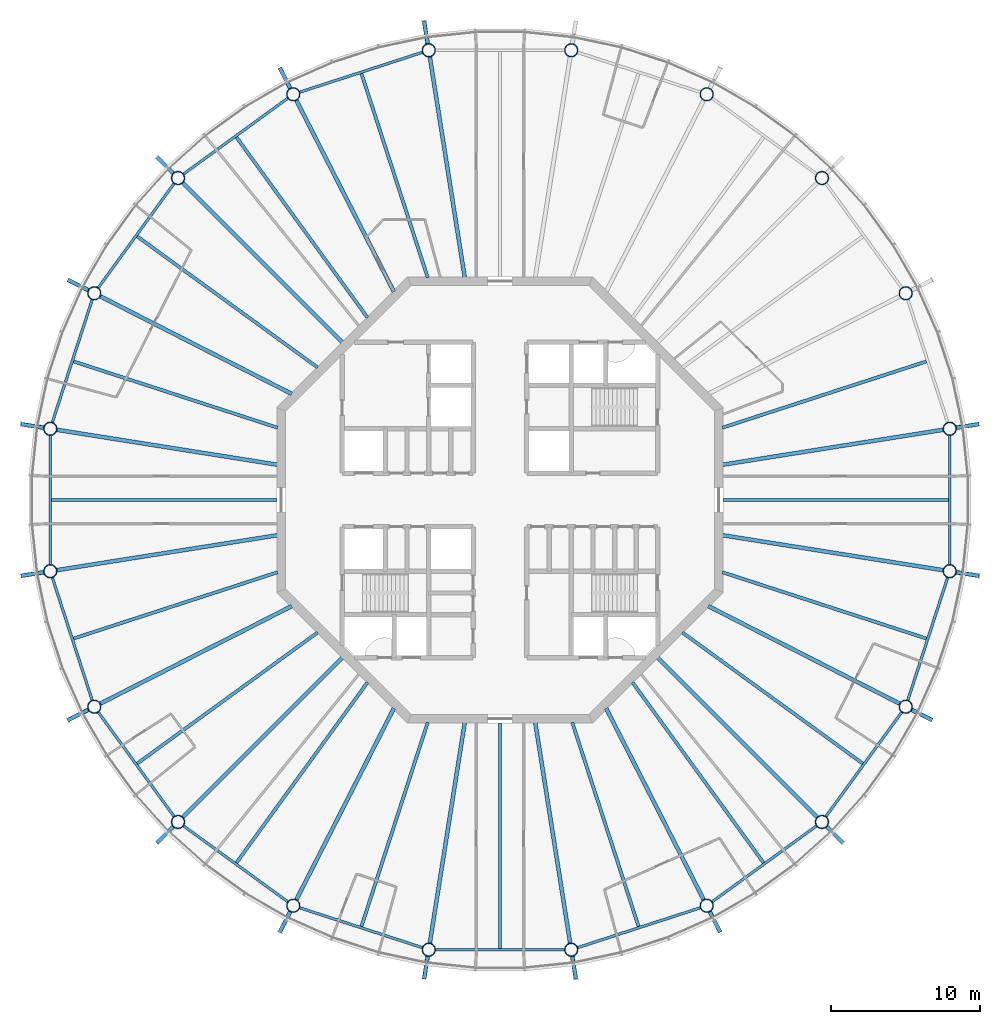
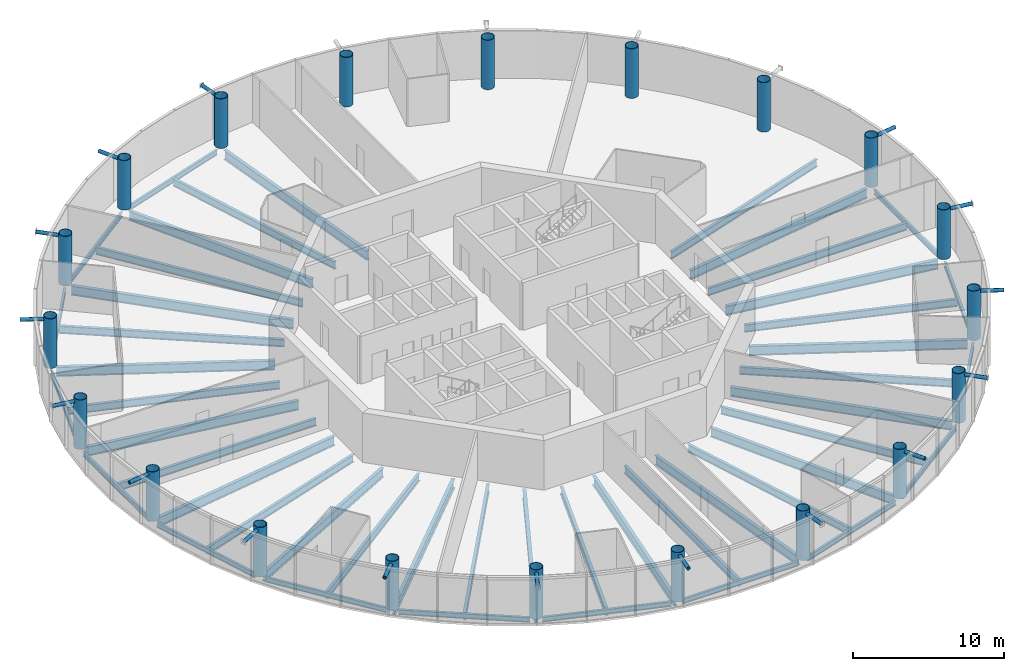
# One storey, part 1 of 18: 47 beams, 20 columns, 16 members.
"""IFC4 building model written with IfcOpenShell, lengths in metres."""

from ifc_helpers import new_model, si_unit, direction, frame, origin, origin_2d, place, context, subcontext, project, spatial, circle, hollow_circle, i_section, extrude, material, material_profile, profile_set, type_object, element, save


model = new_model("IFC4")

# Units and contexts
model_context = context("Model", 3, precision=1e-05, world=origin(), true_north=direction((0.0, 1.0)))
body_context = subcontext(model_context, "Body", "Model", "MODEL_VIEW")
ifc_project = project(units=[si_unit("LENGTHUNIT", "METRE"), si_unit("AREAUNIT", "SQUARE_METRE"), si_unit("VOLUMEUNIT", "CUBIC_METRE"), si_unit("PLANEANGLEUNIT", "RADIAN"), si_unit("MASSUNIT", "GRAM", prefix="KILO")], contexts=[model_context])

# Site, building, storey
site_placement = place(None, origin())
site = spatial("IfcSite", under=ifc_project, at=site_placement, CompositionType="ELEMENT")
building_placement = place(site_placement, origin())
building = spatial("IfcBuilding", under=site, at=building_placement, Name="Entoto Ring Tower", CompositionType="ELEMENT")
storey_placement = place(building_placement, frame((0.0, 0.0, 388.0)))
storey = spatial("IfcBuildingStorey", under=building, at=storey_placement, Name="L90", CompositionType="ELEMENT", Elevation=388.0)

# Columns
ifc_material_1 = material(Name="Steel S355", Category="steel")
ifc_material_profile_1 = material_profile(ifc_material_1, hollow_circle(Radius=0.449951171875, WallThickness=0.0400390625, at=origin_2d()), Name="CHS 900 x 40")
ifc_material_2 = material(Name="Concrete C60/75", Category="concrete")
ifc_material_profile_2 = material_profile(ifc_material_2, circle(Radius=0.409912109375, at=origin_2d()), Name="Concrete C60/75 infill")
ifc_profile_set_1 = profile_set([ifc_material_profile_1, ifc_material_profile_2], Name="Steel S355")
column_type = type_object("IfcColumnType", Name="Ring column 900 x 40 concrete-filled tube", PredefinedType="COLUMN", material=ifc_profile_set_1)
for number, where, z_axis, x_axis, name in (
    (1, (120.22314453125, 84.786865234375, 0.0), (0.0, 0.0, 1.0), (1.0, 0.0, 0.0), "RC6 R01"),
    (2, (117.264892578125, 93.89208984375, 0.0), (0.0, 0.0, 1.0), (1.0, 0.0, 0.0), "RC6 R02"),
    (3, (111.637451171875, 101.637451171875, 0.0), (0.0, 0.0, 1.0), (1.0, 0.0, 0.0), "RC6 R03"),
    (4, (103.89208984375, 107.264892578125, 0.0), (0.0, 0.0, 1.0), (1.0, 0.0, 0.0), "RC6 R04"),
    (5, (94.786865234375, 110.22314453125, 0.0), (0.0, 0.0, 1.0), (1.0, 0.0, 0.0), "RC6 R05"),
    (6, (85.213134765625, 110.22314453125, 0.0), (0.0, 0.0, 1.0), (1.0, 0.0, 0.0), "RC6 R06"),
    (7, (76.10791015625, 107.264892578125, 0.0), (0.0, 0.0, 1.0), (1.0, 0.0, 0.0), "RC6 R07"),
    (8, (68.362548828125, 101.637451171875, 0.0), (0.0, 0.0, 1.0), (1.0, 0.0, 0.0), "RC6 R08"),
    (9, (62.735107421875, 93.89208984375, 0.0), (0.0, 0.0, 1.0), (1.0, 0.0, 0.0), "RC6 R09"),
    (10, (59.77685546875, 84.786865234375, 0.0), (0.0, 0.0, 1.0), (1.0, 0.0, 0.0), "RC6 R10"),
    (11, (59.77685546875, 75.213134765625, 0.0), (0.0, 0.0, 1.0), (1.0, 0.0, 0.0), "RC6 R11"),
    (12, (62.735107421875, 66.10791015625, 0.0), (0.0, 0.0, 1.0), (1.0, 0.0, 0.0), "RC6 R12"),
    (13, (68.362548828125, 58.362548828125, 0.0), (0.0, 0.0, 1.0), (1.0, 0.0, 0.0), "RC6 R13"),
    (14, (76.10791015625, 52.735107421875, 0.0), (0.0, 0.0, 1.0), (1.0, 0.0, 0.0), "RC6 R14"),
    (15, (85.213134765625, 49.77685546875, 0.0), (0.0, 0.0, 1.0), (1.0, 0.0, 0.0), "RC6 R15"),
    (16, (94.786865234375, 49.77685546875, 0.0), (0.0, 0.0, 1.0), (1.0, 0.0, 0.0), "RC6 R16"),
    (17, (103.89208984375, 52.735107421875, 0.0), (0.0, 0.0, 1.0), (1.0, 0.0, 0.0), "RC6 R17"),
    (18, (111.637451171875, 58.362548828125, 0.0), (0.0, 0.0, 1.0), (1.0, 0.0, 0.0), "RC6 R18"),
    (19, (117.264892578125, 66.10791015625, 0.0), (0.0, 0.0, 1.0), (1.0, 0.0, 0.0), "RC6 R19"),
    (20, (120.22314453125, 75.213134765625, 0.0), (0.0, 0.0, 1.0), (1.0, 0.0, 0.0), "RC6 R20"),
):
    element("IfcColumn", number, at=place(storey_placement, frame(where, z_axis=z_axis, x_axis=x_axis)), inside=storey, type_object=column_type, Name=name, PredefinedType="COLUMN", context=body_context, shape_type="SweptSolid", body=[
        extrude(hollow_circle(Radius=0.449951171875, WallThickness=0.0400390625, at=origin_2d()), origin(), (0.0, 0.0, 1.0), 4.0),
    ])

# Members
ifc_material_3 = material(Name="Steel S355", Category="steel")
ifc_material_profile_3 = material_profile(ifc_material_3, hollow_circle(Radius=0.136474609375, WallThickness=0.012451171875, at=origin_2d()), Name="CHS 273 x 12.5")
ifc_material_4 = material(Name="Concrete C60/75", Category="concrete")
ifc_material_profile_4 = material_profile(ifc_material_4, circle(Radius=0.1240234375, at=origin_2d()), Name="Concrete C60/75 infill")
ifc_profile_set_2 = profile_set([ifc_material_profile_3, ifc_material_profile_4], Name="Steel S355")
member_type = type_object("IfcMemberType", Name="Diagrid node strut 273 x 12.5", PredefinedType="STRUT", material=ifc_profile_set_2)
for number, where, z_axis, x_axis, name in (
    (21, (120.626953125, 84.850830078125, 3.71337890625), (0.987680731143, 0.156482501672, 0.0), (-0.156482501672, 0.987680731143, 0.0), "DS2 strut ring 28 01"),
    (22, (85.149169921875, 110.626953125, 3.71337890625), (-0.156482501672, 0.987680731143, 0.0), (-0.987680731143, -0.156482501672, 0.0), "DS2 strut ring 28 06"),
    (23, (75.92236328125, 107.62890625, 3.71337890625), (-0.453951061104, 0.891026618078, 0.0), (-0.891026618078, -0.453951061104, 0.0), "DS2 strut ring 28 07"),
    (24, (68.073486328125, 101.926513671875, 3.71337890625), (-0.707106781187, 0.707106781187, 0.0), (-0.707106781187, -0.707106781187, 0.0), "DS2 strut ring 28 08"),
    (25, (62.37109375, 94.07763671875, 3.71337890625), (-0.891026618078, 0.453951061104, 0.0), (-0.453951061104, -0.891026618078, 0.0), "DS2 strut ring 28 09"),
    (26, (59.373046875, 84.850830078125, 3.71337890625), (-0.987680731143, 0.156482501672, 0.0), (-0.156482501672, -0.987680731143, 0.0), "DS2 strut ring 28 10"),
    (27, (59.373046875, 75.149169921875, 3.71337890625), (-0.987680731143, -0.156482501672, 0.0), (0.156482501672, -0.987680731143, 0.0), "DS2 strut ring 28 11"),
    (28, (62.37109375, 65.92236328125, 3.71337890625), (-0.891026618078, -0.453951061104, 0.0), (0.453951061104, -0.891026618078, 0.0), "DS2 strut ring 28 12"),
    (29, (68.073486328125, 58.073486328125, 3.71337890625), (-0.707106781187, -0.707106781187, 0.0), (0.707106781187, -0.707106781187, 0.0), "DS2 strut ring 28 13"),
    (30, (75.92236328125, 52.37109375, 3.71337890625), (-0.453951061104, -0.891026618078, 0.0), (0.891026618078, -0.453951061104, 0.0), "DS2 strut ring 28 14"),
    (31, (85.149169921875, 49.373046875, 3.71337890625), (-0.156482501672, -0.987680731143, 0.0), (0.987680731143, -0.156482501672, 0.0), "DS2 strut ring 28 15"),
    (32, (94.850830078125, 49.373046875, 3.71337890625), (0.156482501672, -0.987680731143, 0.0), (0.987680731143, 0.156482501672, 0.0), "DS2 strut ring 28 16"),
    (33, (104.07763671875, 52.37109375, 3.71337890625), (0.453951061104, -0.891026618078, 0.0), (0.891026618078, 0.453951061104, 0.0), "DS2 strut ring 28 17"),
    (34, (111.926513671875, 58.073486328125, 3.71337890625), (0.707106781187, -0.707106781187, 0.0), (0.707106781187, 0.707106781187, 0.0), "DS2 strut ring 28 18"),
    (35, (117.62890625, 65.92236328125, 3.71337890625), (0.891026618078, -0.453951061104, 0.0), (0.453951061104, 0.891026618078, 0.0), "DS2 strut ring 28 19"),
    (36, (120.626953125, 75.149169921875, 3.71337890625), (0.987680731143, -0.156482501672, 0.0), (0.156482501672, 0.987680731143, 0.0), "DS2 strut ring 28 20"),
):
    element("IfcMember", number, at=place(storey_placement, frame(where, z_axis=z_axis, x_axis=x_axis)), inside=storey, type_object=member_type, Name=name, PredefinedType="STRUT", context=body_context, shape_type="SweptSolid", body=[
        extrude(hollow_circle(Radius=0.136474609375, WallThickness=0.012451171875, at=origin_2d()), origin(), (0.0, 0.0, 1.0), 1.59130859375),
    ])

# Beams
ifc_material_5 = material(Name="Steel S355", Category="steel")
ifc_material_profile_5 = material_profile(ifc_material_5, i_section(OverallWidth=0.179931640625, OverallDepth=0.39990234375, WebThickness=0.008544921875, FlangeThickness=0.013427734375, FilletRadius=0.02099609375, at=origin_2d()), Name="IPE 400")
ifc_profile_set_3 = profile_set([ifc_material_profile_5], Name="Steel S355")
beam_type_1 = type_object("IfcBeamType", Name="Edge beam IPE 400", PredefinedType="SPANDREL", material=ifc_profile_set_3)
beam_1_placement = place(storey_placement, frame((84.812744140625, 110.09326171875, -0.35009765625), z_axis=(-0.951052147972, -0.309030438368, 0.0), x_axis=(0.309030438368, -0.951052147972, 0.0)))
element("IfcBeam", 37, at=beam_1_placement, inside=storey, type_object=beam_type_1, Name="Edge beam L90 06", PredefinedType="SPANDREL", context=body_context, shape_type="SweptSolid", body=[
    extrude(i_section(OverallWidth=0.179931640625, OverallDepth=0.39990234375, WebThickness=0.008544921875, FlangeThickness=0.013427734375, FilletRadius=0.02099609375, at=origin_2d()), origin(), (0.0, 0.0, 1.0), 8.732177734375),
])
for number, where, z_axis, x_axis, name in (
    (38, (75.767333984375, 107.017333984375, -0.35009765625), (-0.80901045354, -0.587794254874, 0.0), (0.587794254874, -0.80901045354, 0.0), "Edge beam L90 07"),
    (39, (68.115234375, 101.296875, -0.35009765625), (-0.587794254874, -0.80901045354, 0.0), (0.80901045354, -0.587794254874, 0.0), "Edge beam L90 08"),
):
    element("IfcBeam", number, at=place(storey_placement, frame(where, z_axis=z_axis, x_axis=x_axis)), inside=storey, type_object=beam_type_1, Name=name, PredefinedType="SPANDREL", context=body_context, shape_type="SweptSolid", body=[
        extrude(i_section(OverallWidth=0.179931640625, OverallDepth=0.39990234375, WebThickness=0.008544921875, FlangeThickness=0.013427734375, FilletRadius=0.02099609375, at=origin_2d()), origin(), (0.0, 0.0, 1.0), 8.73193359375),
    ])
beam_2_placement = place(storey_placement, frame((62.605224609375, 93.491943359375, -0.35009765625), z_axis=(-0.309030438368, -0.951052147972, 0.0), x_axis=(0.951052147972, -0.309030438368, 0.0)))
element("IfcBeam", 40, at=beam_2_placement, inside=storey, type_object=beam_type_1, Name="Edge beam L90 09", PredefinedType="SPANDREL", context=body_context, shape_type="SweptSolid", body=[
    extrude(i_section(OverallWidth=0.179931640625, OverallDepth=0.39990234375, WebThickness=0.008544921875, FlangeThickness=0.013427734375, FilletRadius=0.02099609375, at=origin_2d()), origin(), (0.0, 0.0, 1.0), 8.732177734375),
])
beam_3_placement = place(storey_placement, frame((59.77685546875, 84.365966796875, -0.35009765625), z_axis=(0.0, -1.0, 0.0), x_axis=(1.0, 0.0, 0.0)))
element("IfcBeam", 41, at=beam_3_placement, inside=storey, type_object=beam_type_1, Name="Edge beam L90 10", PredefinedType="SPANDREL", context=body_context, shape_type="SweptSolid", body=[
    extrude(i_section(OverallWidth=0.179931640625, OverallDepth=0.39990234375, WebThickness=0.008544921875, FlangeThickness=0.013427734375, FilletRadius=0.02099609375, at=origin_2d()), origin(), (0.0, 0.0, 1.0), 8.73193359375),
])
beam_4_placement = place(storey_placement, frame((59.90673828125, 74.812744140625, -0.35009765625), z_axis=(0.309030438368, -0.951052147972, 0.0), x_axis=(0.951052147972, 0.309030438368, 0.0)))
element("IfcBeam", 42, at=beam_4_placement, inside=storey, type_object=beam_type_1, Name="Edge beam L90 11", PredefinedType="SPANDREL", context=body_context, shape_type="SweptSolid", body=[
    extrude(i_section(OverallWidth=0.179931640625, OverallDepth=0.39990234375, WebThickness=0.008544921875, FlangeThickness=0.013427734375, FilletRadius=0.02099609375, at=origin_2d()), origin(), (0.0, 0.0, 1.0), 8.732177734375),
])
for number, where, z_axis, x_axis, name in (
    (43, (62.982666015625, 65.767333984375, -0.35009765625), (0.587794254874, -0.80901045354, 0.0), (0.80901045354, 0.587794254874, 0.0), "Edge beam L90 12"),
    (44, (68.703125, 58.115234375, -0.35009765625), (0.80901045354, -0.587794254874, 0.0), (0.587794254874, 0.80901045354, 0.0), "Edge beam L90 13"),
):
    element("IfcBeam", number, at=place(storey_placement, frame(where, z_axis=z_axis, x_axis=x_axis)), inside=storey, type_object=beam_type_1, Name=name, PredefinedType="SPANDREL", context=body_context, shape_type="SweptSolid", body=[
        extrude(i_section(OverallWidth=0.179931640625, OverallDepth=0.39990234375, WebThickness=0.008544921875, FlangeThickness=0.013427734375, FilletRadius=0.02099609375, at=origin_2d()), origin(), (0.0, 0.0, 1.0), 8.73193359375),
    ])
beam_5_placement = place(storey_placement, frame((76.508056640625, 52.605224609375, -0.35009765625), z_axis=(0.951052147972, -0.309030438368, 0.0), x_axis=(0.309030438368, 0.951052147972, 0.0)))
element("IfcBeam", 45, at=beam_5_placement, inside=storey, type_object=beam_type_1, Name="Edge beam L90 14", PredefinedType="SPANDREL", context=body_context, shape_type="SweptSolid", body=[
    extrude(i_section(OverallWidth=0.179931640625, OverallDepth=0.39990234375, WebThickness=0.008544921875, FlangeThickness=0.013427734375, FilletRadius=0.02099609375, at=origin_2d()), origin(), (0.0, 0.0, 1.0), 8.732177734375),
])
beam_6_placement = place(storey_placement, frame((85.634033203125, 49.77685546875, -0.35009765625), z_axis=(1.0, 0.0, 0.0), x_axis=(0.0, 1.0, 0.0)))
element("IfcBeam", 46, at=beam_6_placement, inside=storey, type_object=beam_type_1, Name="Edge beam L90 15", PredefinedType="SPANDREL", context=body_context, shape_type="SweptSolid", body=[
    extrude(i_section(OverallWidth=0.179931640625, OverallDepth=0.39990234375, WebThickness=0.008544921875, FlangeThickness=0.013427734375, FilletRadius=0.02099609375, at=origin_2d()), origin(), (0.0, 0.0, 1.0), 8.73193359375),
])
beam_7_placement = place(storey_placement, frame((95.187255859375, 49.90673828125, -0.35009765625), z_axis=(0.951052147972, 0.309030438368, 0.0), x_axis=(-0.309030438368, 0.951052147972, 0.0)))
element("IfcBeam", 47, at=beam_7_placement, inside=storey, type_object=beam_type_1, Name="Edge beam L90 16", PredefinedType="SPANDREL", context=body_context, shape_type="SweptSolid", body=[
    extrude(i_section(OverallWidth=0.179931640625, OverallDepth=0.39990234375, WebThickness=0.008544921875, FlangeThickness=0.013427734375, FilletRadius=0.02099609375, at=origin_2d()), origin(), (0.0, 0.0, 1.0), 8.732177734375),
])
for number, where, z_axis, x_axis, name in (
    (48, (104.232666015625, 52.982666015625, -0.35009765625), (0.80901045354, 0.587794254874, 0.0), (-0.587794254874, 0.80901045354, 0.0), "Edge beam L90 17"),
    (49, (111.884765625, 58.703125, -0.35009765625), (0.587794254874, 0.80901045354, 0.0), (-0.80901045354, 0.587794254874, 0.0), "Edge beam L90 18"),
):
    element("IfcBeam", number, at=place(storey_placement, frame(where, z_axis=z_axis, x_axis=x_axis)), inside=storey, type_object=beam_type_1, Name=name, PredefinedType="SPANDREL", context=body_context, shape_type="SweptSolid", body=[
        extrude(i_section(OverallWidth=0.179931640625, OverallDepth=0.39990234375, WebThickness=0.008544921875, FlangeThickness=0.013427734375, FilletRadius=0.02099609375, at=origin_2d()), origin(), (0.0, 0.0, 1.0), 8.73193359375),
    ])
beam_8_placement = place(storey_placement, frame((117.394775390625, 66.508056640625, -0.35009765625), z_axis=(0.309030438368, 0.951052147972, 0.0), x_axis=(-0.951052147972, 0.309030438368, 0.0)))
element("IfcBeam", 50, at=beam_8_placement, inside=storey, type_object=beam_type_1, Name="Edge beam L90 19", PredefinedType="SPANDREL", context=body_context, shape_type="SweptSolid", body=[
    extrude(i_section(OverallWidth=0.179931640625, OverallDepth=0.39990234375, WebThickness=0.008544921875, FlangeThickness=0.013427734375, FilletRadius=0.02099609375, at=origin_2d()), origin(), (0.0, 0.0, 1.0), 8.732177734375),
])
beam_9_placement = place(storey_placement, frame((120.22314453125, 75.634033203125, -0.35009765625), z_axis=(0.0, 1.0, 0.0), x_axis=(-1.0, 0.0, 0.0)))
element("IfcBeam", 51, at=beam_9_placement, inside=storey, type_object=beam_type_1, Name="Edge beam L90 20", PredefinedType="SPANDREL", context=body_context, shape_type="SweptSolid", body=[
    extrude(i_section(OverallWidth=0.179931640625, OverallDepth=0.39990234375, WebThickness=0.008544921875, FlangeThickness=0.013427734375, FilletRadius=0.02099609375, at=origin_2d()), origin(), (0.0, 0.0, 1.0), 8.73193359375),
])
ifc_material_6 = material(Name="Steel S355", Category="steel")
ifc_material_profile_6 = material_profile(ifc_material_6, i_section(OverallWidth=0.262939453125, OverallDepth=0.7529296875, WebThickness=0.011474609375, FlangeThickness=0.01708984375, FilletRadius=0.01708984375, at=origin_2d()), Name="IPE 750 x 137")
ifc_profile_set_4 = profile_set([ifc_material_profile_6], Name="Steel S355")
beam_type_2 = type_object("IfcBeamType", Name="Primary floor beam IPE 750 x 137", PredefinedType="BEAM", material=ifc_profile_set_4)
for number, where, z_axis, x_axis, name in (
    (52, (104.959716796875, 82.369384765625, -0.526611328125), (0.987688638122, 0.156432586517, 0.0), (-0.156432586517, 0.987688638122, 0.0), "Primary L90 R01"),
    (53, (87.630615234375, 94.959716796875, -0.526611328125), (-0.156432586517, 0.987688638122, 0.0), (-0.987688638122, -0.156432586517, 0.0), "Primary L90 R06"),
):
    element("IfcBeam", number, at=place(storey_placement, frame(where, z_axis=z_axis, x_axis=x_axis)), inside=storey, type_object=beam_type_2, Name=name, PredefinedType="BEAM", context=body_context, shape_type="SweptSolid", body=[
        extrude(i_section(OverallWidth=0.262939453125, OverallDepth=0.7529296875, WebThickness=0.011474609375, FlangeThickness=0.01708984375, FilletRadius=0.01708984375, at=origin_2d()), origin(), (0.0, 0.0, 1.0), 15.04345703125),
    ])
beam_10_placement = place(storey_placement, frame((82.8681640625, 93.9970703125, -0.526611328125), z_axis=(-0.453991952968, 0.89100578373, 0.0), x_axis=(-0.89100578373, -0.453991952968, 0.0)))
element("IfcBeam", 54, at=beam_10_placement, inside=storey, type_object=beam_type_2, Name="Primary L90 R07", PredefinedType="BEAM", context=body_context, shape_type="SweptSolid", body=[
    extrude(i_section(OverallWidth=0.262939453125, OverallDepth=0.7529296875, WebThickness=0.011474609375, FlangeThickness=0.01708984375, FilletRadius=0.01708984375, at=origin_2d()), origin(), (0.0, 0.0, 1.0), 14.48046875),
])
beam_11_placement = place(storey_placement, frame((79.407470703125, 90.592529296875, -0.526611328125), z_axis=(-0.707106781187, 0.707106781187, 0.0), x_axis=(-0.707106781187, -0.707106781187, 0.0)))
element("IfcBeam", 55, at=beam_11_placement, inside=storey, type_object=beam_type_2, Name="Primary L90 R08", PredefinedType="BEAM", context=body_context, shape_type="SweptSolid", body=[
    extrude(i_section(OverallWidth=0.262939453125, OverallDepth=0.7529296875, WebThickness=0.011474609375, FlangeThickness=0.01708984375, FilletRadius=0.01708984375, at=origin_2d()), origin(), (0.0, 0.0, 1.0), 15.209716796875),
])
beam_12_placement = place(storey_placement, frame((76.0029296875, 87.1318359375, -0.526611328125), z_axis=(-0.89100578373, 0.453991952968, 0.0), x_axis=(-0.453991952968, -0.89100578373, 0.0)))
element("IfcBeam", 56, at=beam_12_placement, inside=storey, type_object=beam_type_2, Name="Primary L90 R09", PredefinedType="BEAM", context=body_context, shape_type="SweptSolid", body=[
    extrude(i_section(OverallWidth=0.262939453125, OverallDepth=0.7529296875, WebThickness=0.011474609375, FlangeThickness=0.01708984375, FilletRadius=0.01708984375, at=origin_2d()), origin(), (0.0, 0.0, 1.0), 14.48046875),
])
for number, where, z_axis, x_axis, name in (
    (57, (75.040283203125, 82.369384765625, -0.526611328125), (-0.987688638122, 0.156432586517, 0.0), (-0.156432586517, -0.987688638122, 0.0), "Primary L90 R10"),
    (58, (75.040283203125, 77.630615234375, -0.526611328125), (-0.987688638122, -0.156432586517, 0.0), (0.156432586517, -0.987688638122, 0.0), "Primary L90 R11"),
):
    element("IfcBeam", number, at=place(storey_placement, frame(where, z_axis=z_axis, x_axis=x_axis)), inside=storey, type_object=beam_type_2, Name=name, PredefinedType="BEAM", context=body_context, shape_type="SweptSolid", body=[
        extrude(i_section(OverallWidth=0.262939453125, OverallDepth=0.7529296875, WebThickness=0.011474609375, FlangeThickness=0.01708984375, FilletRadius=0.01708984375, at=origin_2d()), origin(), (0.0, 0.0, 1.0), 15.04345703125),
    ])
beam_13_placement = place(storey_placement, frame((76.0029296875, 72.8681640625, -0.526611328125), z_axis=(-0.89100578373, -0.453991952968, 0.0), x_axis=(0.453991952968, -0.89100578373, 0.0)))
element("IfcBeam", 59, at=beam_13_placement, inside=storey, type_object=beam_type_2, Name="Primary L90 R12", PredefinedType="BEAM", context=body_context, shape_type="SweptSolid", body=[
    extrude(i_section(OverallWidth=0.262939453125, OverallDepth=0.7529296875, WebThickness=0.011474609375, FlangeThickness=0.01708984375, FilletRadius=0.01708984375, at=origin_2d()), origin(), (0.0, 0.0, 1.0), 14.48046875),
])
beam_14_placement = place(storey_placement, frame((79.407470703125, 69.407470703125, -0.526611328125), z_axis=(-0.707106781187, -0.707106781187, 0.0), x_axis=(0.707106781187, -0.707106781187, 0.0)))
element("IfcBeam", 60, at=beam_14_placement, inside=storey, type_object=beam_type_2, Name="Primary L90 R13", PredefinedType="BEAM", context=body_context, shape_type="SweptSolid", body=[
    extrude(i_section(OverallWidth=0.262939453125, OverallDepth=0.7529296875, WebThickness=0.011474609375, FlangeThickness=0.01708984375, FilletRadius=0.01708984375, at=origin_2d()), origin(), (0.0, 0.0, 1.0), 15.209716796875),
])
beam_15_placement = place(storey_placement, frame((82.8681640625, 66.0029296875, -0.526611328125), z_axis=(-0.453991952968, -0.89100578373, 0.0), x_axis=(0.89100578373, -0.453991952968, 0.0)))
element("IfcBeam", 61, at=beam_15_placement, inside=storey, type_object=beam_type_2, Name="Primary L90 R14", PredefinedType="BEAM", context=body_context, shape_type="SweptSolid", body=[
    extrude(i_section(OverallWidth=0.262939453125, OverallDepth=0.7529296875, WebThickness=0.011474609375, FlangeThickness=0.01708984375, FilletRadius=0.01708984375, at=origin_2d()), origin(), (0.0, 0.0, 1.0), 14.48046875),
])
for number, where, z_axis, x_axis, name in (
    (62, (87.630615234375, 65.040283203125, -0.526611328125), (-0.156432586517, -0.987688638122, 0.0), (0.987688638122, -0.156432586517, 0.0), "Primary L90 R15"),
    (63, (92.369384765625, 65.040283203125, -0.526611328125), (0.156432586517, -0.987688638122, 0.0), (0.987688638122, 0.156432586517, 0.0), "Primary L90 R16"),
):
    element("IfcBeam", number, at=place(storey_placement, frame(where, z_axis=z_axis, x_axis=x_axis)), inside=storey, type_object=beam_type_2, Name=name, PredefinedType="BEAM", context=body_context, shape_type="SweptSolid", body=[
        extrude(i_section(OverallWidth=0.262939453125, OverallDepth=0.7529296875, WebThickness=0.011474609375, FlangeThickness=0.01708984375, FilletRadius=0.01708984375, at=origin_2d()), origin(), (0.0, 0.0, 1.0), 15.04345703125),
    ])
beam_16_placement = place(storey_placement, frame((97.1318359375, 66.0029296875, -0.526611328125), z_axis=(0.453991952968, -0.89100578373, 0.0), x_axis=(0.89100578373, 0.453991952968, 0.0)))
element("IfcBeam", 64, at=beam_16_placement, inside=storey, type_object=beam_type_2, Name="Primary L90 R17", PredefinedType="BEAM", context=body_context, shape_type="SweptSolid", body=[
    extrude(i_section(OverallWidth=0.262939453125, OverallDepth=0.7529296875, WebThickness=0.011474609375, FlangeThickness=0.01708984375, FilletRadius=0.01708984375, at=origin_2d()), origin(), (0.0, 0.0, 1.0), 14.48046875),
])
beam_17_placement = place(storey_placement, frame((100.592529296875, 69.407470703125, -0.526611328125), z_axis=(0.707106781187, -0.707106781187, 0.0), x_axis=(0.707106781187, 0.707106781187, 0.0)))
element("IfcBeam", 65, at=beam_17_placement, inside=storey, type_object=beam_type_2, Name="Primary L90 R18", PredefinedType="BEAM", context=body_context, shape_type="SweptSolid", body=[
    extrude(i_section(OverallWidth=0.262939453125, OverallDepth=0.7529296875, WebThickness=0.011474609375, FlangeThickness=0.01708984375, FilletRadius=0.01708984375, at=origin_2d()), origin(), (0.0, 0.0, 1.0), 15.209716796875),
])
beam_18_placement = place(storey_placement, frame((103.9970703125, 72.8681640625, -0.526611328125), z_axis=(0.89100578373, -0.453991952968, 0.0), x_axis=(0.453991952968, 0.89100578373, 0.0)))
element("IfcBeam", 66, at=beam_18_placement, inside=storey, type_object=beam_type_2, Name="Primary L90 R19", PredefinedType="BEAM", context=body_context, shape_type="SweptSolid", body=[
    extrude(i_section(OverallWidth=0.262939453125, OverallDepth=0.7529296875, WebThickness=0.011474609375, FlangeThickness=0.01708984375, FilletRadius=0.01708984375, at=origin_2d()), origin(), (0.0, 0.0, 1.0), 14.48046875),
])
beam_19_placement = place(storey_placement, frame((104.959716796875, 77.630615234375, -0.526611328125), z_axis=(0.987688638122, -0.156432586517, 0.0), x_axis=(0.156432586517, 0.987688638122, 0.0)))
element("IfcBeam", 67, at=beam_19_placement, inside=storey, type_object=beam_type_2, Name="Primary L90 R20", PredefinedType="BEAM", context=body_context, shape_type="SweptSolid", body=[
    extrude(i_section(OverallWidth=0.262939453125, OverallDepth=0.7529296875, WebThickness=0.011474609375, FlangeThickness=0.01708984375, FilletRadius=0.01708984375, at=origin_2d()), origin(), (0.0, 0.0, 1.0), 15.04345703125),
])
ifc_material_7 = material(Name="Steel S355", Category="steel")
ifc_material_profile_7 = material_profile(ifc_material_7, i_section(OverallWidth=0.219970703125, OverallDepth=0.60009765625, WebThickness=0.011962890625, FlangeThickness=0.01904296875, FilletRadius=0.02392578125, at=origin_2d()), Name="IPE 600")
ifc_profile_set_5 = profile_set([ifc_material_profile_7], Name="Steel S355")
beam_type_3 = type_object("IfcBeamType", Name="Secondary floor beam IPE 600", PredefinedType="JOIST", material=ifc_profile_set_5)
for number, where, z_axis, x_axis, name in (
    (68, (104.947021484375, 84.856689453125, -0.449951171875), (0.951057212949, 0.309014850288, 0.0), (-0.309014850288, 0.951057212949, 0.0), "Secondary beam L90 01"),
    (69, (85.143310546875, 94.947021484375, -0.449951171875), (-0.309014850288, 0.951057212949, 0.0), (-0.951057212949, -0.309014850288, 0.0), "Secondary beam L90 06"),
):
    element("IfcBeam", number, at=place(storey_placement, frame(where, z_axis=z_axis, x_axis=x_axis)), inside=storey, type_object=beam_type_3, Name=name, PredefinedType="JOIST", context=body_context, shape_type="SweptSolid", body=[
        extrude(i_section(OverallWidth=0.219970703125, OverallDepth=0.60009765625, WebThickness=0.011962890625, FlangeThickness=0.01904296875, FilletRadius=0.02392578125, at=origin_2d()), origin(), (0.0, 0.0, 1.0), 14.4169921875),
    ])
for number, where, z_axis, x_axis, name in (
    (70, (81.09521484375, 92.25634765625, -0.449951171875), (-0.587782163866, 0.809019238239, 0.0), (-0.809019238239, -0.587782163866, 0.0), "Secondary beam L90 07"),
    (71, (77.74365234375, 88.90478515625, -0.449951171875), (-0.809019238239, 0.587782163866, 0.0), (-0.587782163866, -0.809019238239, 0.0), "Secondary beam L90 08"),
):
    element("IfcBeam", number, at=place(storey_placement, frame(where, z_axis=z_axis, x_axis=x_axis)), inside=storey, type_object=beam_type_3, Name=name, PredefinedType="JOIST", context=body_context, shape_type="SweptSolid", body=[
        extrude(i_section(OverallWidth=0.219970703125, OverallDepth=0.60009765625, WebThickness=0.011962890625, FlangeThickness=0.01904296875, FilletRadius=0.02392578125, at=origin_2d()), origin(), (0.0, 0.0, 1.0), 14.983642578125),
    ])
beam_20_placement = place(storey_placement, frame((75.052978515625, 84.856689453125, -0.449951171875), z_axis=(-0.951057212949, 0.309014850288, 0.0), x_axis=(-0.309014850288, -0.951057212949, 0.0)))
element("IfcBeam", 72, at=beam_20_placement, inside=storey, type_object=beam_type_3, Name="Secondary beam L90 09", PredefinedType="JOIST", context=body_context, shape_type="SweptSolid", body=[
    extrude(i_section(OverallWidth=0.219970703125, OverallDepth=0.60009765625, WebThickness=0.011962890625, FlangeThickness=0.01904296875, FilletRadius=0.02392578125, at=origin_2d()), origin(), (0.0, 0.0, 1.0), 14.4169921875),
])
beam_21_placement = place(storey_placement, frame((75.02001953125, 80.0, -0.449951171875), z_axis=(-1.0, 0.0, 0.0), x_axis=(0.0, -1.0, 0.0)))
element("IfcBeam", 73, at=beam_21_placement, inside=storey, type_object=beam_type_3, Name="Secondary beam L90 10", PredefinedType="JOIST", context=body_context, shape_type="SweptSolid", body=[
    extrude(i_section(OverallWidth=0.219970703125, OverallDepth=0.60009765625, WebThickness=0.011962890625, FlangeThickness=0.01904296875, FilletRadius=0.02392578125, at=origin_2d()), origin(), (0.0, 0.0, 1.0), 15.1533203125),
])
beam_22_placement = place(storey_placement, frame((75.052978515625, 75.143310546875, -0.449951171875), z_axis=(-0.951057212949, -0.309014850288, 0.0), x_axis=(0.309014850288, -0.951057212949, 0.0)))
element("IfcBeam", 74, at=beam_22_placement, inside=storey, type_object=beam_type_3, Name="Secondary beam L90 11", PredefinedType="JOIST", context=body_context, shape_type="SweptSolid", body=[
    extrude(i_section(OverallWidth=0.219970703125, OverallDepth=0.60009765625, WebThickness=0.011962890625, FlangeThickness=0.01904296875, FilletRadius=0.02392578125, at=origin_2d()), origin(), (0.0, 0.0, 1.0), 14.4169921875),
])
for number, where, z_axis, x_axis, name in (
    (75, (77.74365234375, 71.09521484375, -0.449951171875), (-0.809019238239, -0.587782163866, 0.0), (0.587782163866, -0.809019238239, 0.0), "Secondary beam L90 12"),
    (76, (81.09521484375, 67.74365234375, -0.449951171875), (-0.587782163866, -0.809019238239, 0.0), (0.809019238239, -0.587782163866, 0.0), "Secondary beam L90 13"),
):
    element("IfcBeam", number, at=place(storey_placement, frame(where, z_axis=z_axis, x_axis=x_axis)), inside=storey, type_object=beam_type_3, Name=name, PredefinedType="JOIST", context=body_context, shape_type="SweptSolid", body=[
        extrude(i_section(OverallWidth=0.219970703125, OverallDepth=0.60009765625, WebThickness=0.011962890625, FlangeThickness=0.01904296875, FilletRadius=0.02392578125, at=origin_2d()), origin(), (0.0, 0.0, 1.0), 14.983642578125),
    ])
beam_23_placement = place(storey_placement, frame((85.143310546875, 65.052978515625, -0.449951171875), z_axis=(-0.309014850288, -0.951057212949, 0.0), x_axis=(0.951057212949, -0.309014850288, 0.0)))
element("IfcBeam", 77, at=beam_23_placement, inside=storey, type_object=beam_type_3, Name="Secondary beam L90 14", PredefinedType="JOIST", context=body_context, shape_type="SweptSolid", body=[
    extrude(i_section(OverallWidth=0.219970703125, OverallDepth=0.60009765625, WebThickness=0.011962890625, FlangeThickness=0.01904296875, FilletRadius=0.02392578125, at=origin_2d()), origin(), (0.0, 0.0, 1.0), 14.4169921875),
])
beam_24_placement = place(storey_placement, frame((90.0, 65.02001953125, -0.449951171875), z_axis=(0.0, -1.0, 0.0), x_axis=(1.0, 0.0, 0.0)))
element("IfcBeam", 78, at=beam_24_placement, inside=storey, type_object=beam_type_3, Name="Secondary beam L90 15", PredefinedType="JOIST", context=body_context, shape_type="SweptSolid", body=[
    extrude(i_section(OverallWidth=0.219970703125, OverallDepth=0.60009765625, WebThickness=0.011962890625, FlangeThickness=0.01904296875, FilletRadius=0.02392578125, at=origin_2d()), origin(), (0.0, 0.0, 1.0), 15.1533203125),
])
beam_25_placement = place(storey_placement, frame((94.856689453125, 65.052978515625, -0.449951171875), z_axis=(0.309014850288, -0.951057212949, 0.0), x_axis=(0.951057212949, 0.309014850288, 0.0)))
element("IfcBeam", 79, at=beam_25_placement, inside=storey, type_object=beam_type_3, Name="Secondary beam L90 16", PredefinedType="JOIST", context=body_context, shape_type="SweptSolid", body=[
    extrude(i_section(OverallWidth=0.219970703125, OverallDepth=0.60009765625, WebThickness=0.011962890625, FlangeThickness=0.01904296875, FilletRadius=0.02392578125, at=origin_2d()), origin(), (0.0, 0.0, 1.0), 14.4169921875),
])
for number, where, z_axis, x_axis, name in (
    (80, (98.90478515625, 67.74365234375, -0.449951171875), (0.587782163866, -0.809019238239, 0.0), (0.809019238239, 0.587782163866, 0.0), "Secondary beam L90 17"),
    (81, (102.25634765625, 71.09521484375, -0.449951171875), (0.809019238239, -0.587782163866, 0.0), (0.587782163866, 0.809019238239, 0.0), "Secondary beam L90 18"),
):
    element("IfcBeam", number, at=place(storey_placement, frame(where, z_axis=z_axis, x_axis=x_axis)), inside=storey, type_object=beam_type_3, Name=name, PredefinedType="JOIST", context=body_context, shape_type="SweptSolid", body=[
        extrude(i_section(OverallWidth=0.219970703125, OverallDepth=0.60009765625, WebThickness=0.011962890625, FlangeThickness=0.01904296875, FilletRadius=0.02392578125, at=origin_2d()), origin(), (0.0, 0.0, 1.0), 14.983642578125),
    ])
beam_26_placement = place(storey_placement, frame((104.947021484375, 75.143310546875, -0.449951171875), z_axis=(0.951057212949, -0.309014850288, 0.0), x_axis=(0.309014850288, 0.951057212949, 0.0)))
element("IfcBeam", 82, at=beam_26_placement, inside=storey, type_object=beam_type_3, Name="Secondary beam L90 19", PredefinedType="JOIST", context=body_context, shape_type="SweptSolid", body=[
    extrude(i_section(OverallWidth=0.219970703125, OverallDepth=0.60009765625, WebThickness=0.011962890625, FlangeThickness=0.01904296875, FilletRadius=0.02392578125, at=origin_2d()), origin(), (0.0, 0.0, 1.0), 14.4169921875),
])
beam_27_placement = place(storey_placement, frame((104.97998046875, 80.0, -0.449951171875), z_axis=(1.0, 0.0, 0.0), x_axis=(0.0, 1.0, 0.0)))
element("IfcBeam", 83, at=beam_27_placement, inside=storey, type_object=beam_type_3, Name="Secondary beam L90 20", PredefinedType="JOIST", context=body_context, shape_type="SweptSolid", body=[
    extrude(i_section(OverallWidth=0.219970703125, OverallDepth=0.60009765625, WebThickness=0.011962890625, FlangeThickness=0.01904296875, FilletRadius=0.02392578125, at=origin_2d()), origin(), (0.0, 0.0, 1.0), 15.1533203125),
])

save(model, "model.ifc")
